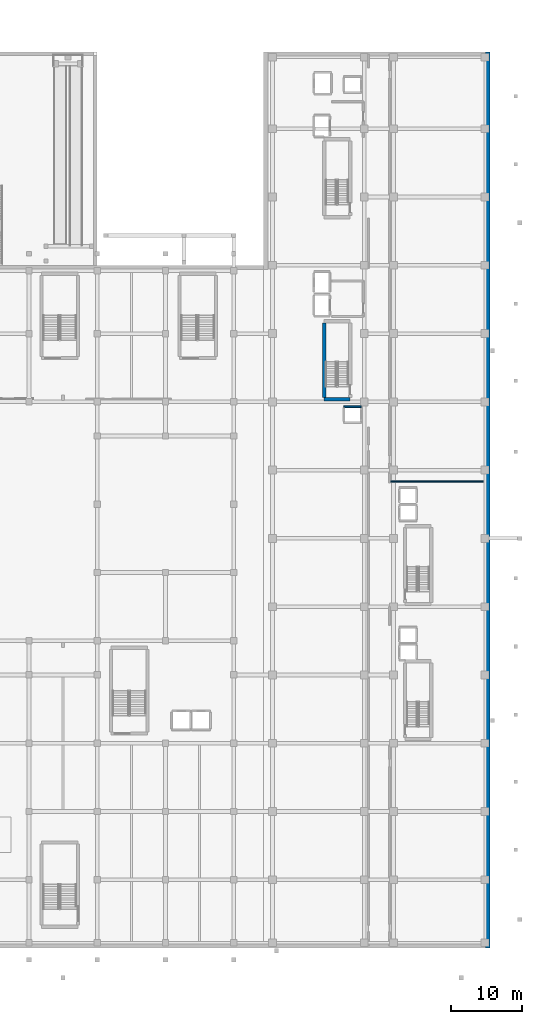
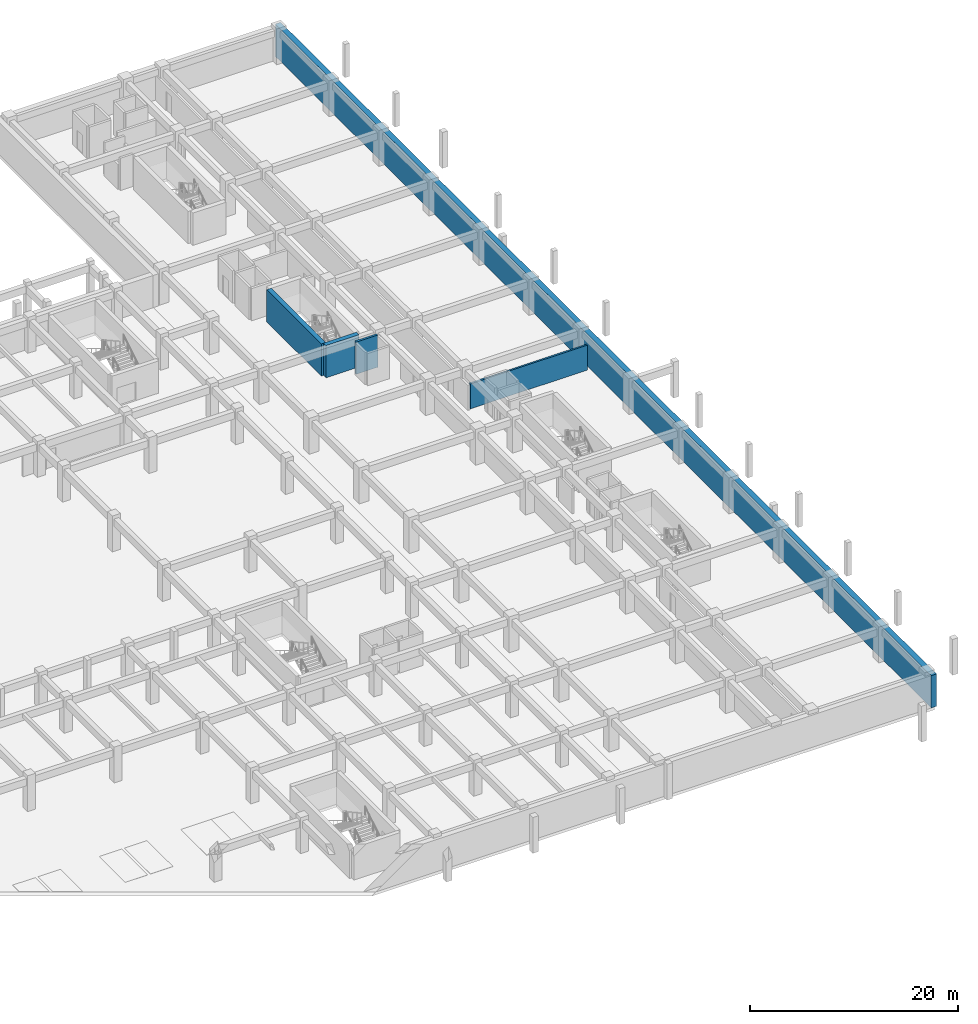
# One storey, part 17 of 39: 5 walls.
"""IFC4 building model written with IfcOpenShell, lengths in metres."""

from ifc_helpers import new_model, si_unit, direction, frame, frame_2d, origin, place, context, subcontext, project, spatial, rectangle, extrude, material, layer, layer_set, type_object, element, save


model = new_model("IFC4")

# Units and contexts
model_context = context("Model", 3, precision=1e-05, world=origin(), true_north=direction((0.0, 1.0)))
body_context = subcontext(model_context, "Body", "Model", "MODEL_VIEW")
ifc_project = project(units=[si_unit("LENGTHUNIT", "METRE"), si_unit("AREAUNIT", "SQUARE_METRE"), si_unit("VOLUMEUNIT", "CUBIC_METRE"), si_unit("PLANEANGLEUNIT", "RADIAN"), si_unit("MASSUNIT", "GRAM", prefix="KILO")], contexts=[model_context])

# Site, building, storey
site_placement = place(None, origin())
site = spatial("IfcSite", under=ifc_project, at=site_placement, CompositionType="ELEMENT")
building_placement = place(site_placement, origin())
building = spatial("IfcBuilding", under=site, at=building_placement, Name="Nakhvara Creek Congress Hotel", CompositionType="ELEMENT")
storey_placement = place(building_placement, frame((0.0, 0.0, -4.199951171875)))
storey = spatial("IfcBuildingStorey", under=building, at=storey_placement, Name="B1", CompositionType="ELEMENT", Elevation=-4.199951171875)

# Walls
ifc_material_1 = material(Name="Concrete C50/60", Category="concrete")
ifc_layer_1 = layer(ifc_material_1, 0.5)
ifc_layer_set_1 = layer_set([ifc_layer_1], Name="Concrete C50/60")
wall_type_1 = type_object("IfcWallType", Name="W-CORE-500", PredefinedType="SHEAR", material=ifc_layer_set_1)
wall_1_placement = place(storey_placement, frame((156.699951171875, 77.179931640625, 0.0), z_axis=(0.0, 0.0, 1.0), x_axis=(1.0, 0.0, 0.0)))
element("IfcWall", 1, at=wall_1_placement, inside=storey, type_object=wall_type_1, Name="Core Shear Wall WS01-CWALL-B1-0019", PredefinedType="SHEAR", context=body_context, shape_type="SweptSolid", body=[
    extrude(rectangle(XDim=3.670166015625, YDim=0.5, at=frame_2d((1.8349609375, 0.0))), origin(), (0.0, 0.0, 1.0), 3.780029296875),
])
wall_2_placement = place(storey_placement, frame((156.699951171875, 77.39990234375, 0.0), z_axis=(0.0, 0.0, 1.0), x_axis=(0.0, 1.0, 0.0)))
element("IfcWall", 2, at=wall_2_placement, inside=storey, type_object=wall_type_1, Name="Core Shear Wall WS01-CWALL-B1-0021", PredefinedType="SHEAR", context=body_context, shape_type="SweptSolid", body=[
    extrude(rectangle(XDim=10.5, YDim=0.5, at=frame_2d((5.25, 0.0))), origin(), (0.0, 0.0, 1.0), 3.780029296875),
])
ifc_material_2 = material(Name="Gypsum acoustic board on steel stud", Category="steel")
ifc_layer_2 = layer(ifc_material_2, 0.199951171875)
ifc_layer_set_2 = layer_set([ifc_layer_2], Name="Gypsum acoustic board on steel stud")
wall_type_2 = type_object("IfcWallType", Name="W-PART-200", PredefinedType="PARTITIONING", material=ifc_layer_set_2)
wall_3_placement = place(storey_placement, frame((166.10009765625, 65.60009765625, 0.0), z_axis=(0.0, 0.0, 1.0), x_axis=(1.0, 0.0, 0.0)))
element("IfcWall", 3, at=wall_3_placement, inside=storey, type_object=wall_type_2, Name="Interior Wall WP12-IW-B1-0048", PredefinedType="PARTITIONING", context=body_context, shape_type="SweptSolid", body=[
    extrude(rectangle(XDim=13.0, YDim=0.199951171875, at=frame_2d((6.5, 0.0))), origin(), (0.0, 0.0, 1.0), 2.931884765625),
])
ifc_material_3 = material(Name="Concrete C40/50", Category="concrete")
ifc_layer_3 = layer(ifc_material_3, 0.60009765625)
ifc_layer_set_3 = layer_set([ifc_layer_3], Name="Concrete C40/50")
wall_type_3 = type_object("IfcWallType", Name="W-RET-600", PredefinedType="USERDEFINED", material=ifc_layer_set_3)
wall_4_placement = place(storey_placement, frame((179.699951171875, 126.0, 0.0), z_axis=(0.0, 0.0, 1.0), x_axis=(0.0, -1.0, 0.0)))
element("IfcWall", 4, at=wall_4_placement, inside=storey, type_object=wall_type_3, Name="Exterior Wall WR01-EW-B1-0017", ObjectType="RETAININGWALL", PredefinedType="USERDEFINED", context=body_context, shape_type="SweptSolid", body=[
    extrude(rectangle(XDim=126.0, YDim=0.60009765625, at=frame_2d((63.0, 0.0))), origin(), (0.0, 0.0, 1.0), 3.780029296875),
])
ifc_layer_4 = layer(ifc_material_3, 0.25)
ifc_layer_set_4 = layer_set([ifc_layer_4], Name="Concrete C40/50")
wall_type_4 = type_object("IfcWallType", Name="W-SHAFT-250", PredefinedType="SOLIDWALL", material=ifc_layer_set_4)
wall_5_placement = place(storey_placement, frame((159.489990234375, 76.110107421875, 0.0), z_axis=(0.0, 0.0, 1.0), x_axis=(1.0, 0.0, 0.0)))
element("IfcWall", 5, at=wall_5_placement, inside=storey, type_object=wall_type_4, Name="Core Shear Wall WI02-CWALL-B1-0031", PredefinedType="SOLIDWALL", context=body_context, shape_type="SweptSolid", body=[
    extrude(rectangle(XDim=2.419921875, YDim=0.25, at=frame_2d((1.2099609375, 0.0))), origin(), (0.0, 0.0, 1.0), 3.780029296875),
])

save(model, "model.ifc")
